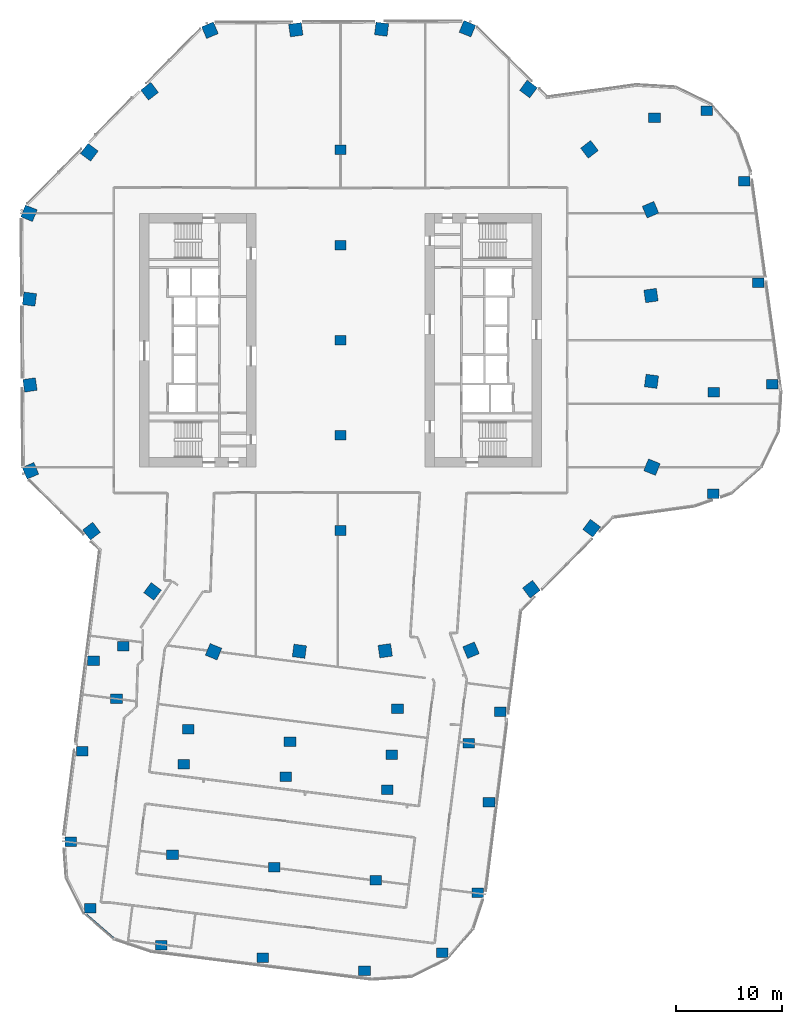
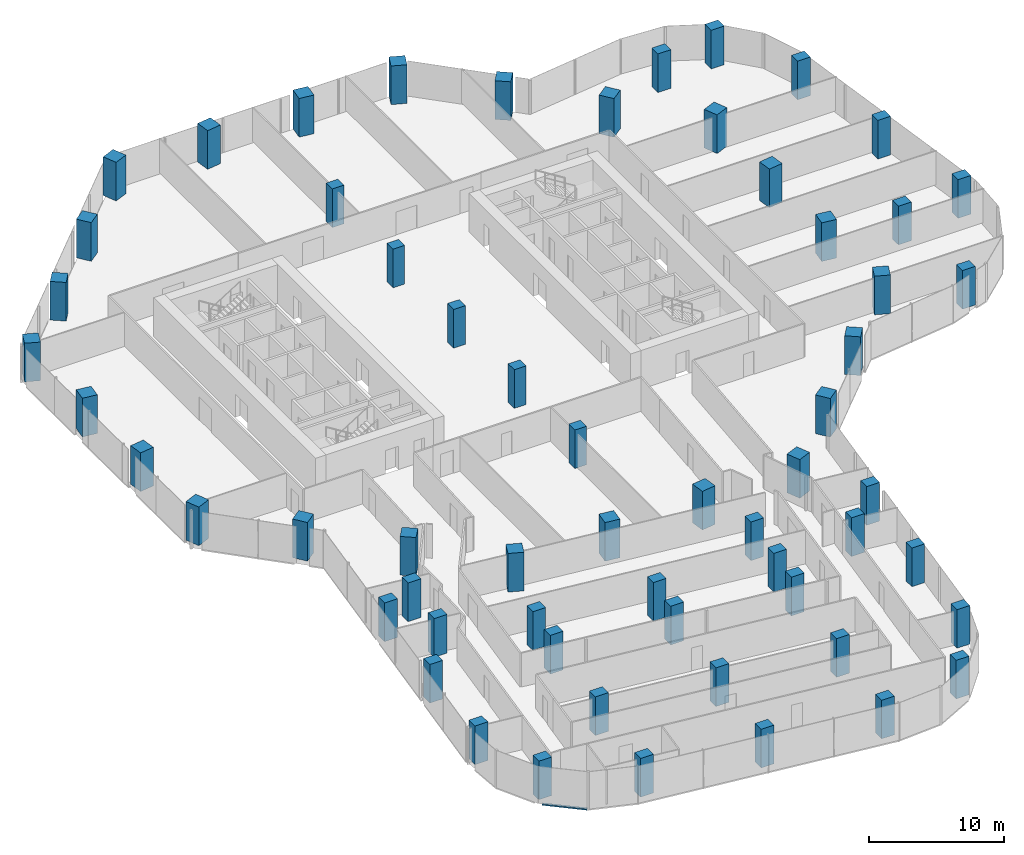
# One storey, part 1 of 27: 60 columns, 1 member, 1 element without a shape of its own.
"""IFC4 building model written with IfcOpenShell, lengths in metres."""

import ifcopenshell
import ifcopenshell.guid

model = None  # the IFC model being written
_history = None  # IfcOwnerHistory: only IFC2X3 demands one
_inside = {}  # id of a spatial element -> (the spatial element, [elements in it])
_under = {}  # id of a project, library or spatial element -> (it, [spatial elements below it])
_declared = {}  # id of a project -> (the project, [libraries it declares])
_typed = {}  # id of a type object -> (the type object, [elements of that type])
_made_of = {}  # id of a material, layer set ... -> (it, [elements and type objects made of it])


def new_model(schema):
    """Start an empty IFC model of exactly this schema.

    Asked for "IFC4X3", IfcOpenShell would pick the latest addendum, in which some entities
    have other attributes; the version numbers below select the first issue.
    IFC2X3 requires an IfcOwnerHistory on every rooted entity: one is made here for all.
    """
    global model, _history
    if schema == "IFC4X3":
        model = ifcopenshell.file(schema_version=(4, 3, 0, 0))
    else:
        model = ifcopenshell.file(schema=schema)
    _inside.clear()
    _under.clear()
    _declared.clear()
    _typed.clear()
    _made_of.clear()
    _history = None
    if model.schema == "IFC2X3":
        org = make("IfcOrganization", Name="unknown")
        user = make(
            "IfcPersonAndOrganization",
            ThePerson=make("IfcPerson", FamilyName="unknown"),
            TheOrganization=org,
        )
        app = make(
            "IfcApplication",
            ApplicationDeveloper=org,
            Version="unknown",
            ApplicationFullName="unknown",
            ApplicationIdentifier="unknown",
        )
        _history = make(
            "IfcOwnerHistory",
            OwningUser=user,
            OwningApplication=app,
            ChangeAction="ADDED",
            CreationDate=0,
        )
    return model


def make(cls, **values):
    """One entity of the class cls with the attributes given. An attribute that is None is left unset."""
    return model.create_entity(
        cls, **{name: value for name, value in values.items() if value is not None}
    )


def rooted(cls, **values):
    """An entity with a GlobalId (a new one), such as an element, a storey or a relation."""
    return make(cls, GlobalId=ifcopenshell.guid.new(), OwnerHistory=_history, **values)


def si_unit(unit_type, name, prefix=None):
    """IfcSIUnit, for example si_unit("LENGTHUNIT", "METRE", prefix="MILLI")."""
    return make("IfcSIUnit", UnitType=unit_type, Prefix=prefix, Name=name)


def assignment(units):
    """IfcUnitAssignment: the units of a project."""
    return None if units is None else make("IfcUnitAssignment", Units=units)


def point(xyz):
    """IfcCartesianPoint."""
    return None if xyz is None else make("IfcCartesianPoint", Coordinates=xyz)


def direction(xyz):
    """IfcDirection."""
    return None if xyz is None else make("IfcDirection", DirectionRatios=xyz)


def frame(location, z_axis=None, x_axis=None):
    """IfcAxis2Placement3D, a coordinate frame: its origin and axes. An axis left out is left unset."""
    return make(
        "IfcAxis2Placement3D",
        Location=point(location),
        Axis=direction(z_axis),
        RefDirection=direction(x_axis),
    )


def frame_2d(location, x_axis=None):
    """IfcAxis2Placement2D, a coordinate frame in the plane: its origin and x axis."""
    return make(
        "IfcAxis2Placement2D", Location=point(location), RefDirection=direction(x_axis)
    )


def origin():
    """The frame at (0, 0, 0) with its axes left unset."""
    return frame((0.0, 0.0, 0.0))


def origin_2d():
    """The frame at (0, 0) in the plane with its x axis left unset."""
    return frame_2d((0.0, 0.0))


def place(relative_to, where):
    """IfcLocalPlacement: puts the frame where relative to a parent placement (None: the world)."""
    return make(
        "IfcLocalPlacement", PlacementRelTo=relative_to, RelativePlacement=where
    )


def context(
    kind, dimensions, precision=None, world=None, true_north=None, identifier=None
):
    """IfcGeometricRepresentationContext, for example the 3D "Model" context."""
    return make(
        "IfcGeometricRepresentationContext",
        ContextIdentifier=identifier,
        ContextType=kind,
        CoordinateSpaceDimension=dimensions,
        Precision=precision,
        WorldCoordinateSystem=world,
        TrueNorth=true_north,
    )


def subcontext(parent, identifier, kind, view, scale=None):
    """IfcGeometricRepresentationSubContext, for example "Body" below "Model"."""
    return make(
        "IfcGeometricRepresentationSubContext",
        ContextIdentifier=identifier,
        ContextType=kind,
        ParentContext=parent,
        TargetScale=scale,
        TargetView=view,
    )


def project(units=None, contexts=None):
    """IfcProject with its units and contexts."""
    return rooted(
        "IfcProject",
        Name="project",
        RepresentationContexts=contexts,
        UnitsInContext=assignment(units),
    )


def spatial(cls, under=None, at=None, **own):
    """A site, building, storey or space (cls), placed at a placement, below another one or the project."""
    s = rooted(cls, ObjectPlacement=at, **own)
    if under is not None:
        _under.setdefault(under.id(), (under, []))[1].append(s)
    return s


def profile(cls, at=None, kind="AREA", **sizes):
    """A parametric profile (cls). Its sizes go by their IFC names, for example OverallWidth=200.0."""
    return make(cls, ProfileType=kind, Position=at, **sizes)


def rectangle(**sizes):
    """IfcRectangleProfileDef."""
    return profile("IfcRectangleProfileDef", **sizes)


def extrude(swept, where, along, depth):
    """IfcExtrudedAreaSolid: the profile swept, set in the frame where, extruded along a direction by depth."""
    return make(
        "IfcExtrudedAreaSolid",
        SweptArea=swept,
        Position=where,
        ExtrudedDirection=direction(along),
        Depth=depth,
    )


def shape(context_of_items, identifier, shape_type, items):
    """IfcShapeRepresentation: the items that make up one representation, for example the "Body"."""
    return make(
        "IfcShapeRepresentation",
        ContextOfItems=context_of_items,
        RepresentationIdentifier=identifier,
        RepresentationType=shape_type,
        Items=items,
    )


def material(Name=None, Category=None):
    """IfcMaterial."""
    return make("IfcMaterial", Name=Name, Category=Category)


def material_profile(
    of_material, cross_section, Name=None, Category=None, Priority=None
):
    """IfcMaterialProfile: a cross section and its material."""
    return make(
        "IfcMaterialProfile",
        Name=Name,
        Material=of_material,
        Profile=cross_section,
        Priority=Priority,
        Category=Category,
    )


def profile_set(profiles, Name=None, composite=None):
    """IfcMaterialProfileSet."""
    return make(
        "IfcMaterialProfileSet",
        Name=Name,
        MaterialProfiles=profiles,
        CompositeProfile=composite,
    )


def made_of(thing, what):
    """Note that an element or type object is made of a material, layer set ...; save() writes the relation."""
    if what is not None:
        _made_of.setdefault(what.id(), (what, []))[1].append(thing)
    return thing


def type_object(cls, material=None, **own):
    """A type object (cls), such as IfcWallType, which elements share."""
    return made_of(rooted(cls, **own), material)


def element(
    cls,
    number,
    at=None,
    inside=None,
    cuts=None,
    type_object=None,
    material=None,
    context=None,
    identifier="Body",
    shape_type=None,
    held_by="IfcProductDefinitionShape",
    body=None,
    shapes=None,
    **own,
):
    """One element of the class cls, such as IfcWall. Its Tag is "e" and its number.

    at: its placement. inside: the storey or other place that contains it. cuts: it is an
    opening in that element (IfcRelVoidsElement). A single representation is given by context,
    identifier, shape_type and body (its items); several are given by shapes. held_by: the class
    of the entity that holds the representations. save() writes the other relations.
    """
    e = rooted(cls, Tag="e%d" % number, ObjectPlacement=at, **own)
    if body is not None:
        shapes = [shape(context, identifier, shape_type, body)]
    if shapes is not None:
        e.Representation = make(held_by, Representations=shapes)
    if inside is not None:
        _inside.setdefault(inside.id(), (inside, []))[1].append(e)
    if cuts is not None:
        rooted(
            "IfcRelVoidsElement", RelatingBuildingElement=cuts, RelatedOpeningElement=e
        )
    if type_object is not None:
        _typed.setdefault(type_object.id(), (type_object, []))[1].append(e)
    return made_of(e, material)


def aggregate(whole, parts):
    """IfcRelAggregates: a whole, such as a stair, and the parts it consists of."""
    return rooted("IfcRelAggregates", RelatingObject=whole, RelatedObjects=parts)


def save(model, path):
    """Write the relations noted so far, then the file.

    IfcRelAggregates (storeys below a building ...), IfcRelContainedInSpatialStructure (elements
    in a storey), IfcRelDefinesByType, IfcRelAssociatesMaterial and IfcRelDeclares: one each for
    every whole, place, type object, material and project.
    """
    for whole, parts in _under.values():
        aggregate(whole, parts)
    for where, things in _inside.values():
        rooted(
            "IfcRelContainedInSpatialStructure",
            RelatedElements=things,
            RelatingStructure=where,
        )
    for kind, things in _typed.values():
        rooted("IfcRelDefinesByType", RelatedObjects=things, RelatingType=kind)
    for what, things in _made_of.values():
        rooted("IfcRelAssociatesMaterial", RelatedObjects=things, RelatingMaterial=what)
    for by, libraries in _declared.values():
        rooted("IfcRelDeclares", RelatingContext=by, RelatedDefinitions=libraries)
    model.write(path)


model = new_model("IFC4")

# Units and contexts
model_context = context("Model", 3, precision=1e-05, world=origin(), true_north=direction((0.0, 1.0)))
body_context = subcontext(model_context, "Body", "Model", "MODEL_VIEW")
ifc_project = project(units=[si_unit("LENGTHUNIT", "METRE"), si_unit("AREAUNIT", "SQUARE_METRE"), si_unit("VOLUMEUNIT", "CUBIC_METRE"), si_unit("PLANEANGLEUNIT", "RADIAN"), si_unit("MASSUNIT", "GRAM", prefix="KILO")], contexts=[model_context])

# Site, building, storey
site_placement = place(None, origin())
site = spatial("IfcSite", under=ifc_project, at=site_placement, CompositionType="ELEMENT")
building_placement = place(site_placement, origin())
building = spatial("IfcBuilding", under=site, at=building_placement, Name="Orlundy Tower", CompositionType="ELEMENT")
storey_placement = place(building_placement, frame((0.0, 0.0, 192.10009765625)))
storey = spatial("IfcBuildingStorey", under=building, at=storey_placement, Name="L50", CompositionType="ELEMENT", Elevation=192.10009765625)

# Columns
ifc_material_1 = material(Name="Concrete C70/85", Category="concrete")
ifc_material_profile_1 = material_profile(ifc_material_1, rectangle(XDim=1.0, YDim=0.89990234375, at=origin_2d()), Name="RC1000X900")
ifc_profile_set_1 = profile_set([ifc_material_profile_1], Name="Concrete C70/85")
column_type_1 = type_object("IfcColumnType", Name="RC COLUMN RC1000X900 C70/85", PredefinedType="COLUMN", material=ifc_profile_set_1)
for number, where, z_axis, x_axis, name in (
    (1, (0.0, -18.0, 0.0), (0.0, 0.0, 1.0), (1.0, 0.0, 0.0), "Column C-M1 L50"),
    (2, (0.0, -9.0, 0.0), (0.0, 0.0, 1.0), (1.0, 0.0, 0.0), "Column C-M2 L50"),
    (3, (0.0, 0.0, 0.0), (0.0, 0.0, 1.0), (1.0, 0.0, 0.0), "Column C-M3 L50"),
    (4, (0.0, 9.0, 0.0), (0.0, 0.0, 1.0), (1.0, 0.0, 0.0), "Column C-M4 L50"),
    (5, (0.0, 18.0, 0.0), (0.0, 0.0, 1.0), (1.0, 0.0, 0.0), "Column C-M5 L50"),
):
    element("IfcColumn", number, at=place(storey_placement, frame(where, z_axis=z_axis, x_axis=x_axis)), inside=storey, type_object=column_type_1, Name=name, PredefinedType="COLUMN", context=body_context, shape_type="SweptSolid", body=[
        extrude(rectangle(XDim=1.0, YDim=0.89990234375, at=origin_2d()), origin(), (0.0, 0.0, 1.0), 3.5),
    ])
ifc_material_2 = material(Name="Concrete C70/85", Category="concrete")
ifc_material_profile_2 = material_profile(ifc_material_2, rectangle(XDim=1.10009765625, YDim=0.89990234375, at=origin_2d()), Name="RC1100X900")
ifc_profile_set_2 = profile_set([ifc_material_profile_2], Name="Concrete C70/85")
column_type_2 = type_object("IfcColumnType", Name="RC COLUMN RC1100X900 C70/85", PredefinedType="COLUMN", material=ifc_profile_set_2)
for number, where, z_axis, x_axis, name in (
    (6, (35.258056640625, -14.512939453125, 0.0), (0.0, 0.0, 1.0), (1.0, 0.0, 0.0), "Column C-A1-1 L50"),
    (7, (40.85009765625, -4.1708984375, 0.0), (0.0, 0.0, 1.0), (1.0, 0.0, 0.0), "Column C-A2-5 L50"),
    (8, (35.302001953125, -4.93505859375, 0.0), (0.0, 0.0, 1.0), (1.0, 0.0, 0.0), "Column C-A2-6 L50"),
    (9, (39.528076171875, 5.43798828125, 0.0), (0.0, 0.0, 1.0), (1.0, 0.0, 0.0), "Column C-A3-5 L50"),
    (10, (38.2060546875, 15.048095703125, 0.0), (0.0, 0.0, 1.0), (1.0, 0.0, 0.0), "Column C-A4-5 L50"),
    (11, (34.656005859375, 21.718994140625, 0.0), (0.0, 0.0, 1.0), (1.0, 0.0, 0.0), "Column C-A5-5 L50"),
    (12, (29.702880859375, 21.0380859375, 0.0), (0.0, 0.0, 1.0), (1.0, 0.0, 0.0), "Column C-A5-6 L50"),
    (13, (-23.364990234375, -30.322021484375, 0.0), (0.0, 0.0, 1.0), (1.0, 0.0, 0.0), "Column C-B1-1 L50"),
    (14, (-24.44189453125, -38.887939453125, 0.0), (0.0, 0.0, 1.0), (1.0, 0.0, 0.0), "Column C-B1-2 L50"),
    (15, (-25.51611328125, -47.4541015625, 0.0), (0.0, 0.0, 1.0), (1.0, 0.0, 0.0), "Column C-B1-3 L50"),
    (16, (-23.68505859375, -53.758056640625, 0.0), (0.0, 0.0, 1.0), (1.0, 0.0, 0.0), "Column C-B1-5 L50"),
    (17, (-21.18994140625, -33.9150390625, 0.0), (0.0, 0.0, 1.0), (1.0, 0.0, 0.0), "Column C-B1-6 L50"),
    (18, (-20.56591796875, -28.9541015625, 0.0), (0.0, 0.0, 1.0), (1.0, 0.0, 0.0), "Column C-B1-7 L50"),
    (19, (-14.818115234375, -40.097900390625, 0.0), (0.0, 0.0, 1.0), (1.0, 0.0, 0.0), "Column C-B2-2 L50"),
    (20, (-15.89501953125, -48.6640625, 0.0), (0.0, 0.0, 1.0), (1.0, 0.0, 0.0), "Column C-B2-3 L50"),
    (21, (-16.971923828125, -57.22998046875, 0.0), (0.0, 0.0, 1.0), (1.0, 0.0, 0.0), "Column C-B2-5 L50"),
    (22, (-14.402099609375, -36.791015625, 0.0), (0.0, 0.0, 1.0), (1.0, 0.0, 0.0), "Column C-B2-6 L50"),
    (23, (-5.194091796875, -41.30810546875, 0.0), (0.0, 0.0, 1.0), (1.0, 0.0, 0.0), "Column C-B3-2 L50"),
    (24, (-6.27099609375, -49.8740234375, 0.0), (0.0, 0.0, 1.0), (1.0, 0.0, 0.0), "Column C-B3-3 L50"),
    (25, (-7.347900390625, -58.43994140625, 0.0), (0.0, 0.0, 1.0), (1.0, 0.0, 0.0), "Column C-B3-5 L50"),
    (26, (-4.778076171875, -38.0009765625, 0.0), (0.0, 0.0, 1.0), (1.0, 0.0, 0.0), "Column C-B3-6 L50"),
    (27, (4.429931640625, -42.51806640625, 0.0), (0.0, 0.0, 1.0), (1.0, 0.0, 0.0), "Column C-B4-2 L50"),
    (28, (3.35302734375, -51.083984375, 0.0), (0.0, 0.0, 1.0), (1.0, 0.0, 0.0), "Column C-B4-3 L50"),
    (29, (2.27587890625, -59.64990234375, 0.0), (0.0, 0.0, 1.0), (1.0, 0.0, 0.0), "Column C-B4-5 L50"),
    (30, (4.845947265625, -39.2109375, 0.0), (0.0, 0.0, 1.0), (1.0, 0.0, 0.0), "Column C-B4-6 L50"),
    (31, (5.39501953125, -34.844970703125, 0.0), (0.0, 0.0, 1.0), (1.0, 0.0, 0.0), "Column C-B4-7 L50"),
    (32, (15.131103515625, -35.162109375, 0.0), (0.0, 0.0, 1.0), (1.0, 0.0, 0.0), "Column C-B5-1 L50"),
    (33, (14.053955078125, -43.72802734375, 0.0), (0.0, 0.0, 1.0), (1.0, 0.0, 0.0), "Column C-B5-2 L50"),
    (34, (12.972900390625, -52.2939453125, 0.0), (0.0, 0.0, 1.0), (1.0, 0.0, 0.0), "Column C-B5-3 L50"),
    (35, (9.638916015625, -57.948974609375, 0.0), (0.0, 0.0, 1.0), (1.0, 0.0, 0.0), "Column C-B5-5 L50"),
    (36, (12.134033203125, -38.10498046875, 0.0), (0.0, 0.0, 1.0), (1.0, 0.0, 0.0), "Column C-B5-6 L50"),
):
    element("IfcColumn", number, at=place(storey_placement, frame(where, z_axis=z_axis, x_axis=x_axis)), inside=storey, type_object=column_type_2, Name=name, PredefinedType="COLUMN", context=body_context, shape_type="SweptSolid", body=[
        extrude(rectangle(XDim=1.10009765625, YDim=0.89990234375, at=origin_2d()), origin(), (0.0, 0.0, 1.0), 3.5),
    ])
ifc_material_3 = material(Name="Concrete C70/85", Category="concrete")
ifc_material_profile_3 = material_profile(ifc_material_3, rectangle(XDim=1.199951171875, YDim=1.199951171875, at=origin_2d()), Name="RC1200X1200")
ifc_profile_set_3 = profile_set([ifc_material_profile_3], Name="Concrete C70/85")
column_type_3 = type_object("IfcColumnType", Name="RC COLUMN RC1200X1200 C70/85", PredefinedType="COLUMN", material=ifc_profile_set_3)
for number, where, z_axis, x_axis, name in (
    (37, (12.007080078125, 29.469970703125, 0.0), (0.0, 0.0, 1.0), (0.377323624231, 0.926081466501, 0.0), "Column C-H01 L50"),
    (38, (17.781005859375, 23.762939453125, 0.0), (0.0, 0.0, 1.0), (0.599107447624, 0.800668636954, 0.0), "Column C-H02 L50"),
    (39, (23.554931640625, 18.055908203125, 0.0), (0.0, 0.0, 1.0), (0.793650742501, 0.60837365075, 0.0), "Column C-H03 L50"),
    (40, (29.3291015625, 12.34912109375, 0.0), (0.0, 0.0, 1.0), (0.921633032912, 0.388062562797, 0.0), "Column C-H04 L50"),
    (41, (29.3759765625, 4.22998046875, 0.0), (0.0, 0.0, 1.0), (0.989791161548, 0.142525283799, 0.0), "Column C-H05 L50"),
    (42, (29.423095703125, -3.887939453125, 0.0), (0.0, 0.0, 1.0), (0.991380955857, -0.131010687976, 0.0), "Column C-H06 L50"),
    (43, (29.469970703125, -12.007080078125, 0.0), (0.0, 0.0, 1.0), (0.926081466501, -0.377323624231, 0.0), "Column C-H07 L50"),
    (44, (23.762939453125, -17.781005859375, 0.0), (0.0, 0.0, 1.0), (0.800668636954, -0.599107447624, 0.0), "Column C-H08 L50"),
    (45, (18.055908203125, -23.554931640625, 0.0), (0.0, 0.0, 1.0), (0.60837365075, -0.793650742501, 0.0), "Column C-H09 L50"),
    (46, (12.34912109375, -29.3291015625, 0.0), (0.0, 0.0, 1.0), (0.388062562797, -0.921633032912, 0.0), "Column C-H10 L50"),
    (47, (4.22998046875, -29.3759765625, 0.0), (0.0, 0.0, 1.0), (0.142525283799, -0.989791161548, 0.0), "Column C-H11 L50"),
    (48, (-3.887939453125, -29.423095703125, 0.0), (0.0, 0.0, 1.0), (-0.131010687976, -0.991380955857, 0.0), "Column C-H12 L50"),
    (49, (-12.007080078125, -29.469970703125, 0.0), (0.0, 0.0, 1.0), (-0.377323624231, -0.926081466501, 0.0), "Column C-H13 L50"),
    (50, (-17.781005859375, -23.762939453125, 0.0), (0.0, 0.0, 1.0), (-0.599107447624, -0.800668636954, 0.0), "Column C-H14 L50"),
    (51, (-23.554931640625, -18.055908203125, 0.0), (0.0, 0.0, 1.0), (-0.793650742501, -0.60837365075, 0.0), "Column C-H15 L50"),
    (52, (-29.3291015625, -12.34912109375, 0.0), (0.0, 0.0, 1.0), (-0.921633032912, -0.388062562797, 0.0), "Column C-H16 L50"),
    (53, (-29.3759765625, -4.22998046875, 0.0), (0.0, 0.0, 1.0), (-0.989791161548, -0.142525283799, 0.0), "Column C-H17 L50"),
    (54, (-29.423095703125, 3.887939453125, 0.0), (0.0, 0.0, 1.0), (-0.991380955857, 0.131010687976, 0.0), "Column C-H18 L50"),
    (55, (-29.469970703125, 12.007080078125, 0.0), (0.0, 0.0, 1.0), (-0.926081466501, 0.377323624231, 0.0), "Column C-H19 L50"),
    (56, (-23.762939453125, 17.781005859375, 0.0), (0.0, 0.0, 1.0), (-0.800668636954, 0.599107447624, 0.0), "Column C-H20 L50"),
    (57, (-18.055908203125, 23.554931640625, 0.0), (0.0, 0.0, 1.0), (-0.60837365075, 0.793650742501, 0.0), "Column C-H21 L50"),
    (58, (-12.34912109375, 29.3291015625, 0.0), (0.0, 0.0, 1.0), (-0.388062562797, 0.921633032912, 0.0), "Column C-H22 L50"),
    (59, (-4.22998046875, 29.3759765625, 0.0), (0.0, 0.0, 1.0), (-0.142525283799, 0.989791161548, 0.0), "Column C-H23 L50"),
    (60, (3.887939453125, 29.423095703125, 0.0), (0.0, 0.0, 1.0), (0.131010687976, 0.991380955857, 0.0), "Column C-H24 L50"),
):
    element("IfcColumn", number, at=place(storey_placement, frame(where, z_axis=z_axis, x_axis=x_axis)), inside=storey, type_object=column_type_3, Name=name, PredefinedType="COLUMN", context=body_context, shape_type="SweptSolid", body=[
        extrude(rectangle(XDim=1.199951171875, YDim=1.199951171875, at=origin_2d()), origin(), (0.0, 0.0, 1.0), 3.5),
    ])

# Curtain wall, member
ifc_material_4 = material(Name="Aluminium bronze anodised", Category="aluminium")
curtain_wall_type = type_object("IfcCurtainWallType", Name="CW1 wall", PredefinedType="NOTDEFINED", material=ifc_material_4)
curtain_wall_placement = place(storey_placement, origin())
curtain_wall = element("IfcCurtainWall", 61, at=curtain_wall_placement, inside=storey, type_object=curtain_wall_type, Name="CW1 run 025", PredefinedType="NOTDEFINED")
ifc_material_5 = material(Name="Aluminium bronze anodised", Category="aluminium")
ifc_material_profile_4 = material_profile(ifc_material_5, rectangle(XDim=0.179931640625, YDim=0.1201171875, at=origin_2d()), Name="CW1 transom 180x120")
ifc_profile_set_4 = profile_set([ifc_material_profile_4], Name="Aluminium bronze anodised")
member_type = type_object("IfcMemberType", Name="CW1 transom 180x120", PredefinedType="USERDEFINED", material=ifc_profile_set_4)
member_placement = place(storey_placement, frame((-21.471435546875, -56.57470703125, -0.360107421875), z_axis=(-0.755629576233, 0.654999193527, 0.0), x_axis=(-0.654999193527, -0.755629576233, 0.0)))
member = element("IfcMember", 62, at=member_placement, type_object=member_type, Name="CW1 transom", ObjectType="TRANSOM", PredefinedType="USERDEFINED", context=body_context, shape_type="SweptSolid", body=[
    extrude(rectangle(XDim=0.179931640625, YDim=0.1201171875, at=origin_2d()), origin(), (0.0, 0.0, 1.0), 3.384521484375),
])
aggregate(curtain_wall, [member])

save(model, "model.ifc")
